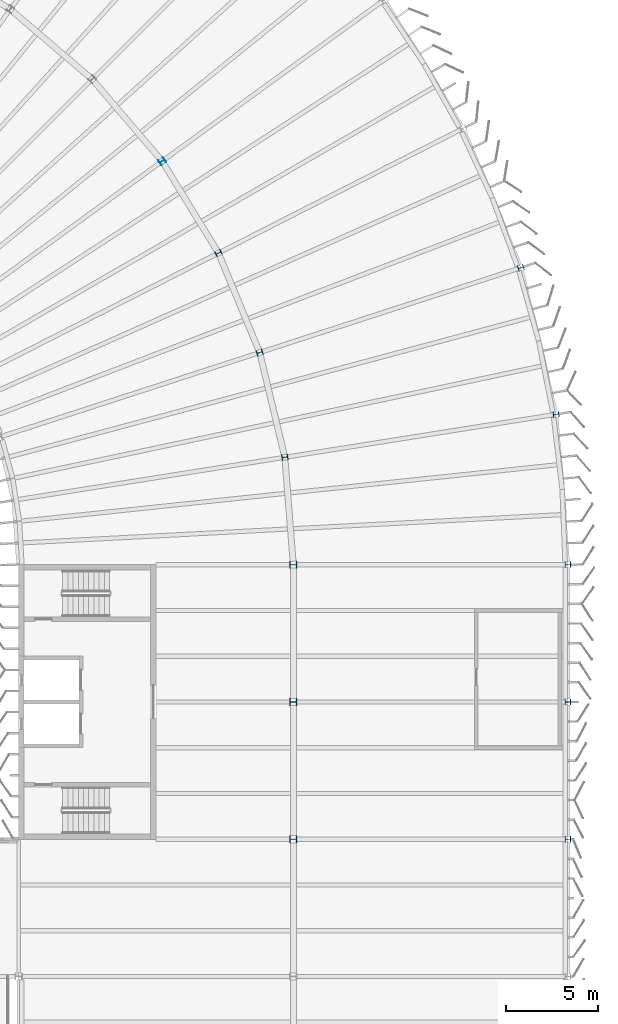
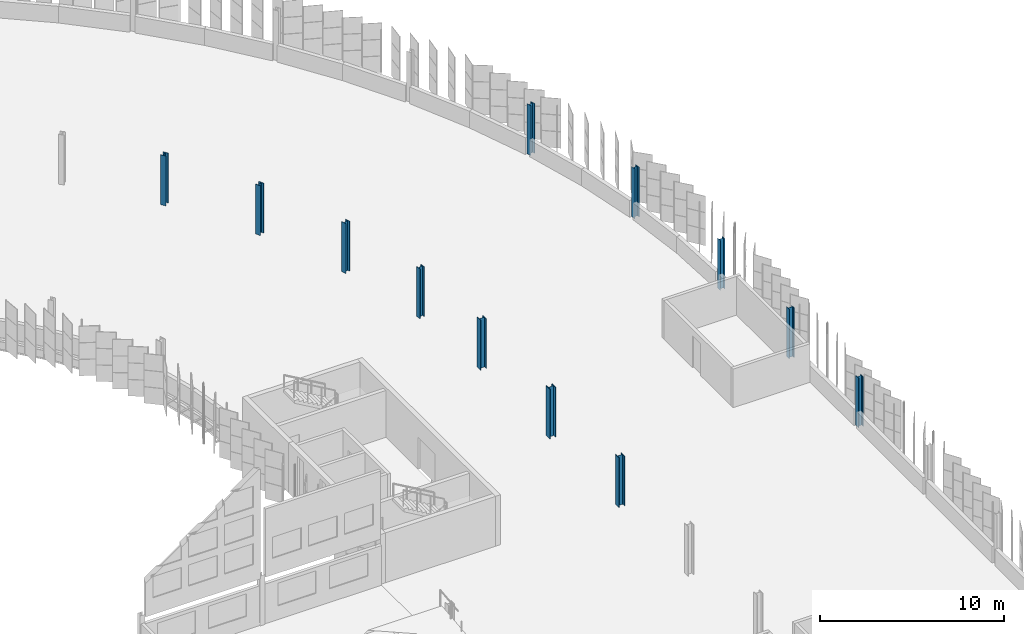
# One storey, part 22 of 199: 12 columns.
"""IFC4 building model written with IfcOpenShell, lengths in metres."""

from ifc_helpers import new_model, si_unit, direction, frame, origin, origin_2d, place, context, subcontext, project, spatial, i_section, extrude, material, material_profile, profile_set, type_object, element, save


model = new_model("IFC4")

# Units and contexts
model_context = context("Model", 3, precision=1e-05, world=origin(), true_north=direction((0.0, 1.0)))
body_context = subcontext(model_context, "Body", "Model", "MODEL_VIEW")
ifc_project = project(units=[si_unit("LENGTHUNIT", "METRE"), si_unit("AREAUNIT", "SQUARE_METRE"), si_unit("VOLUMEUNIT", "CUBIC_METRE"), si_unit("PLANEANGLEUNIT", "RADIAN"), si_unit("MASSUNIT", "GRAM", prefix="KILO")], contexts=[model_context])

# Site, building, storey
site_placement = place(None, origin())
site = spatial("IfcSite", under=ifc_project, at=site_placement, CompositionType="ELEMENT")
building_placement = place(site_placement, origin())
building = spatial("IfcBuilding", under=site, at=building_placement, Name="Parallax Yard Mobility Hub", CompositionType="ELEMENT")
storey_placement = place(building_placement, frame((0.0, 0.0, 9.89990234375)))
storey = spatial("IfcBuildingStorey", under=building, at=storey_placement, Name="L03", CompositionType="ELEMENT", Elevation=9.89990234375)

# Columns
ifc_material = material(Name="Steel ASTM A992", Category="steel")
ifc_material_profile_1 = material_profile(ifc_material, i_section(OverallWidth=0.31005859375, OverallDepth=0.327880859375, WebThickness=0.015380859375, FlangeThickness=0.025146484375, FilletRadius=0.015380859375, at=origin_2d()), Name="W310x158")
ifc_profile_set_1 = profile_set([ifc_material_profile_1], Name="Steel ASTM A992")
column_type_1 = type_object("IfcColumnType", Name="W310x158 column", PredefinedType="COLUMN", material=ifc_profile_set_1)
for number, where, z_axis, x_axis, name in (
    (1, (202.838134765625, 112.0419921875, 0.0), (0.0, 0.0, 1.0), (-0.587785252292, 0.809016994375, 0.0), "Column C6 level L03 at RB/R6 of ramped parking decks"),
    (2, (205.91259765625, 107.024658203125, 0.0), (0.0, 0.0, 1.0), (-0.45399049974, 0.891006524188, 0.0), "Column C6 level L03 at RB/R7 of ramped parking decks"),
    (3, (208.16455078125, 101.588134765625, 0.0), (0.0, 0.0, 1.0), (-0.309016994375, 0.951056516295, 0.0), "Column C6 level L03 at RB/R8 of ramped parking decks"),
    (4, (209.538330078125, 95.8662109375, 0.0), (0.0, 0.0, 1.0), (-0.15643446504, 0.987688340595, 0.0), "Column C6 level L03 at RB/R9 of ramped parking decks"),
):
    element("IfcColumn", number, at=place(storey_placement, frame(where, z_axis=z_axis, x_axis=x_axis)), inside=storey, type_object=column_type_1, Name=name, PredefinedType="COLUMN", context=body_context, shape_type="SweptSolid", body=[
        extrude(i_section(OverallWidth=0.31005859375, OverallDepth=0.327880859375, WebThickness=0.015380859375, FlangeThickness=0.025146484375, FilletRadius=0.015380859375, at=origin_2d()), origin(), (0.0, 0.0, 1.0), 3.300048828125),
    ])
ifc_material_profile_2 = material_profile(ifc_material, i_section(OverallWidth=0.304931640625, OverallDepth=0.306884765625, WebThickness=0.010009765625, FlangeThickness=0.015380859375, FilletRadius=0.01513671875, at=origin_2d()), Name="W310x97")
ifc_profile_set_2 = profile_set([ifc_material_profile_2], Name="Steel ASTM A992")
column_type_2 = type_object("IfcColumnType", Name="W310x97 column", PredefinedType="COLUMN", material=ifc_profile_set_2)
for number, where, z_axis, x_axis, name in (
    (5, (225.0, 90.0, 0.0), (0.0, 0.0, 1.0), (0.0, 1.0, 0.0), "Column C1 level L03 at N/31 of ramped parking decks"),
    (6, (225.0, 82.5, 0.0), (0.0, 0.0, 1.0), (0.0, 1.0, 0.0), "Column C1 level L03 at M/31 of ramped parking decks"),
    (7, (225.0, 75.0, 0.0), (0.0, 0.0, 1.0), (0.0, 1.0, 0.0), "Column C1 level L03 at L/31 of ramped parking decks"),
    (8, (222.430419921875, 106.223388671875, 0.0), (0.0, 0.0, 1.0), (-0.309016994375, 0.951056516295, 0.0), "Column C1 level L03 at RC/R8 of ramped parking decks"),
    (9, (224.353515625, 98.212890625, 0.0), (0.0, 0.0, 1.0), (-0.15643446504, 0.987688340595, 0.0), "Column C1 level L03 at RC/R9 of ramped parking decks"),
):
    element("IfcColumn", number, at=place(storey_placement, frame(where, z_axis=z_axis, x_axis=x_axis)), inside=storey, type_object=column_type_2, Name=name, PredefinedType="COLUMN", context=body_context, shape_type="SweptSolid", body=[
        extrude(i_section(OverallWidth=0.304931640625, OverallDepth=0.306884765625, WebThickness=0.010009765625, FlangeThickness=0.015380859375, FilletRadius=0.01513671875, at=origin_2d()), origin(), (0.0, 0.0, 1.0), 3.300048828125),
    ])
ifc_material_profile_3 = material_profile(ifc_material, i_section(OverallWidth=0.373046875, OverallDepth=0.367919921875, WebThickness=0.014892578125, FlangeThickness=0.02392578125, FilletRadius=0.01513671875, at=origin_2d()), Name="W360x179")
ifc_profile_set_3 = profile_set([ifc_material_profile_3], Name="Steel ASTM A992")
column_type_3 = type_object("IfcColumnType", Name="W360x179 column", PredefinedType="COLUMN", material=ifc_profile_set_3)
column_1_placement = place(storey_placement, frame((210.0, 90.0, 0.0), z_axis=(0.0, 0.0, 1.0), x_axis=(0.0, 1.0, 0.0)))
element("IfcColumn", 10, at=column_1_placement, inside=storey, type_object=column_type_3, Name="Column C7 level L03 at N/29 of ramped parking decks", PredefinedType="COLUMN", context=body_context, shape_type="SweptSolid", body=[
    extrude(i_section(OverallWidth=0.373046875, OverallDepth=0.367919921875, WebThickness=0.014892578125, FlangeThickness=0.02392578125, FilletRadius=0.01513671875, at=origin_2d()), origin(), (0.0, 0.0, 1.0), 3.300048828125),
])
ifc_material_profile_4 = material_profile(ifc_material, i_section(OverallWidth=0.39404296875, OverallDepth=0.3759765625, WebThickness=0.017333984375, FlangeThickness=0.027587890625, FilletRadius=0.01513671875, at=origin_2d()), Name="W360x216")
ifc_profile_set_4 = profile_set([ifc_material_profile_4], Name="Steel ASTM A992")
column_type_4 = type_object("IfcColumnType", Name="W360x216 column", PredefinedType="COLUMN", material=ifc_profile_set_4)
column_2_placement = place(storey_placement, frame((210.0, 75.0, 0.0), z_axis=(0.0, 0.0, 1.0), x_axis=(0.0, 1.0, 0.0)))
element("IfcColumn", 11, at=column_2_placement, inside=storey, type_object=column_type_4, Name="Column C9 level L03 at L/29 of ramped parking decks", PredefinedType="COLUMN", context=body_context, shape_type="SweptSolid", body=[
    extrude(i_section(OverallWidth=0.39404296875, OverallDepth=0.3759765625, WebThickness=0.017333984375, FlangeThickness=0.027587890625, FilletRadius=0.01513671875, at=origin_2d()), origin(), (0.0, 0.0, 1.0), 3.300048828125),
])
ifc_material_profile_5 = material_profile(ifc_material, i_section(OverallWidth=0.39599609375, OverallDepth=0.381103515625, WebThickness=0.018798828125, FlangeThickness=0.0302734375, FilletRadius=0.015380859375, at=origin_2d()), Name="W360x237")
ifc_profile_set_5 = profile_set([ifc_material_profile_5], Name="Steel ASTM A992")
column_type_5 = type_object("IfcColumnType", Name="W360x237 column", PredefinedType="COLUMN", material=ifc_profile_set_5)
column_3_placement = place(storey_placement, frame((210.0, 82.5, 0.0), z_axis=(0.0, 0.0, 1.0), x_axis=(0.0, 1.0, 0.0)))
element("IfcColumn", 12, at=column_3_placement, inside=storey, type_object=column_type_5, Name="Column C10 level L03 at M/29 of ramped parking decks", PredefinedType="COLUMN", context=body_context, shape_type="SweptSolid", body=[
    extrude(i_section(OverallWidth=0.39599609375, OverallDepth=0.381103515625, WebThickness=0.018798828125, FlangeThickness=0.0302734375, FilletRadius=0.015380859375, at=origin_2d()), origin(), (0.0, 0.0, 1.0), 3.300048828125),
])

save(model, "model.ifc")
